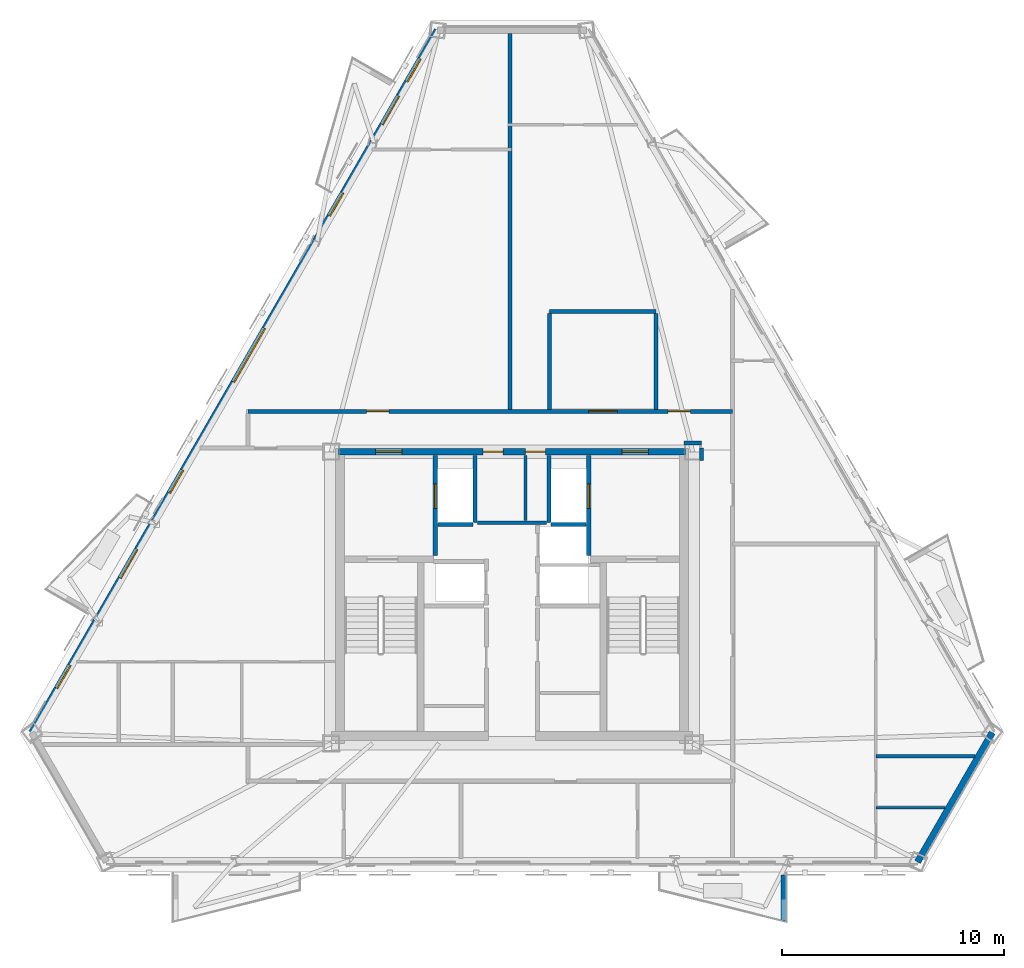
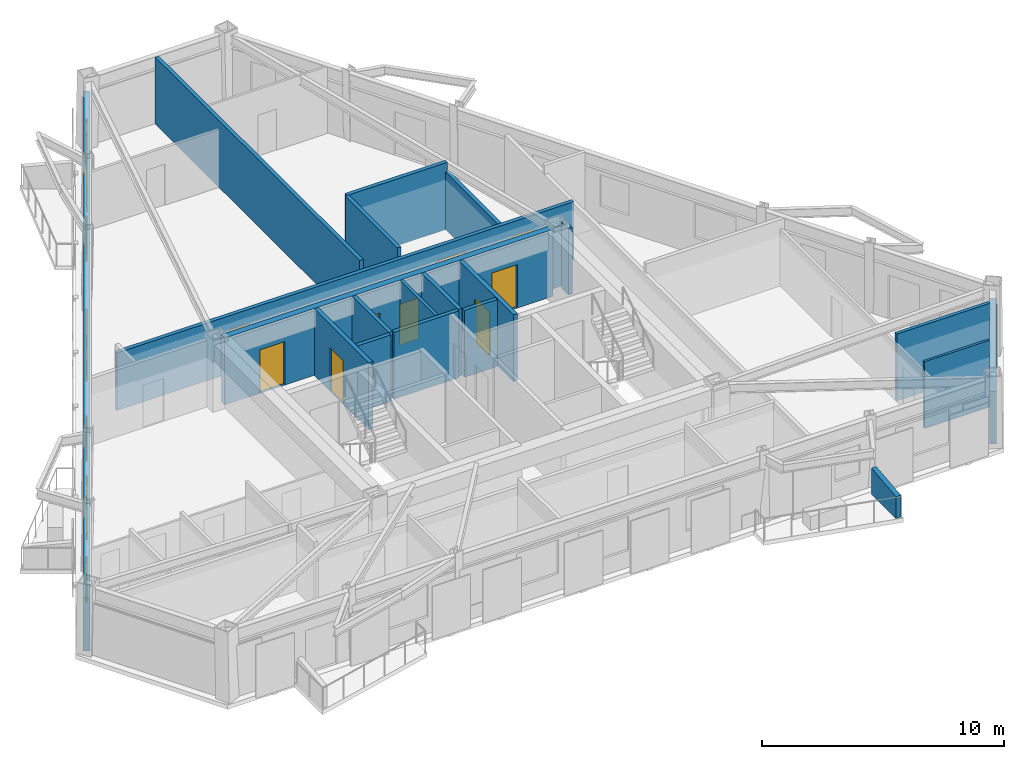
# One storey, part 4 of 8: 21 walls, 11 doors, 5 windows, 16 openings.
"""IFC4 building model written with IfcOpenShell, lengths in metres."""

from ifc_helpers import new_model, si_unit, direction, frame, frame_2d, origin, place, context, subcontext, project, spatial, polyline, rectangle, outline, extrude, material, layer, layer_set, type_object, element, fill, save


model = new_model("IFC4")

# Units and contexts
model_context = context("Model", 3, precision=1e-05, world=origin(), true_north=direction((0.0, 1.0)))
body_context = subcontext(model_context, "Body", "Model", "MODEL_VIEW")
ifc_project = project(units=[si_unit("LENGTHUNIT", "METRE"), si_unit("AREAUNIT", "SQUARE_METRE"), si_unit("VOLUMEUNIT", "CUBIC_METRE"), si_unit("PLANEANGLEUNIT", "RADIAN"), si_unit("MASSUNIT", "GRAM", prefix="KILO")], contexts=[model_context])

# Site, building, storey
site_placement = place(None, origin())
site = spatial("IfcSite", under=ifc_project, at=site_placement, CompositionType="ELEMENT")
building_placement = place(site_placement, origin())
building = spatial("IfcBuilding", under=site, at=building_placement, Name="Oramaril Tower", CompositionType="ELEMENT")
storey_placement = place(building_placement, frame((0.0, 0.0, 216.300048828125)))
storey = spatial("IfcBuildingStorey", under=building, at=storey_placement, Name="L57", CompositionType="ELEMENT", Elevation=216.300048828125)

# Wall
ifc_material_1 = material(Name="Warm Cream Limestone", Category="masonry")
ifc_layer_1 = layer(ifc_material_1, 0.2900390625)
ifc_layer_set_1 = layer_set([ifc_layer_1], Name="WT-EXT29")
wall_type_1 = type_object("IfcWallType", Name="WT-EXT29", PredefinedType="SOLIDWALL", material=ifc_layer_set_1)
wall_1_placement = place(storey_placement, frame((55.789306640625, 5.651611328125, 0.0), z_axis=(0.0, 0.0, 1.0), x_axis=(0.499994363989, 0.866028657713, 0.0)))
element("IfcWall", 1, at=wall_1_placement, inside=storey, type_object=wall_type_1, Name="L57 Tower Limestone Facade Wall 3M", PredefinedType="SOLIDWALL", context=body_context, shape_type="SweptSolid", body=[
    extrude(rectangle(XDim=6.73583984375, YDim=0.2900390625, at=frame_2d((3.367919921875, 0.0))), origin(), (0.0, 0.0, 1.0), 2.677001953125),
])

# Wall, openings, doors, windows
wall_2_placement = place(storey_placement, frame((34.132080078125, 43.1630859375, 0.0), z_axis=(0.0, 0.0, 1.0), x_axis=(-0.500000353019, -0.866025199969, 0.0)))
wall_2 = element("IfcWall", 2, at=wall_2_placement, inside=storey, type_object=wall_type_1, Name="L57 Tower Limestone Facade Wall 6M", PredefinedType="SOLIDWALL", context=body_context, shape_type="SweptSolid", body=[
    extrude(rectangle(XDim=36.57861328125, YDim=0.2900390625, at=frame_2d((18.289306640625, 0.0))), origin(), (0.0, 0.0, 1.0), 2.677001953125),
])
opening_1_placement = place(wall_2_placement, frame((3.429443359375, 0.0, 0.0)))
opening_1 = element("IfcOpeningElement", 3, at=opening_1_placement, cuts=wall_2, Name="Opening D-L57-BAL-NW1", PredefinedType="OPENING", context=body_context, shape_type="SweptSolid", body=[
    extrude(rectangle(XDim=1.5, YDim=2.199951171875, at=frame_2d((0.75, 1.10009765625))), frame((0.0, 0.14501953125, 0.0), z_axis=(0.0, -1.0, 0.0), x_axis=(1.0, 0.0, 0.0)), (0.0, 0.0, 1.0), 0.2900390625),
])
opening_2_placement = place(wall_2_placement, frame((27.044189453125, 0.0, 0.0)))
opening_2 = element("IfcOpeningElement", 4, at=opening_2_placement, cuts=wall_2, Name="Opening D-L57-BAL-NW2", PredefinedType="OPENING", context=body_context, shape_type="SweptSolid", body=[
    extrude(rectangle(XDim=1.5, YDim=2.199951171875, at=frame_2d((0.75, 1.10009765625))), frame((0.0, 0.14501953125, 0.0), z_axis=(0.0, -1.0, 0.0), x_axis=(1.0, 0.0, 0.0)), (0.0, 0.0, 1.0), 0.2900390625),
])
opening_3_placement = place(wall_2_placement, frame((22.914306640625, 0.0, 0.85009765625)))
opening_3 = element("IfcOpeningElement", 5, at=opening_3_placement, cuts=wall_2, Name="Opening WN-09", PredefinedType="OPENING", context=body_context, shape_type="SweptSolid", body=[
    extrude(rectangle(XDim=1.199951171875, YDim=1.47998046875, at=frame_2d((0.60009765625, 0.739990234375))), frame((0.0, 0.14501953125, 0.0), z_axis=(0.0, -1.0, 0.0), x_axis=(1.0, 0.0, 0.0)), (0.0, 0.0, 1.0), 0.2900390625),
])
opening_4_placement = place(wall_2_placement, frame((33.080078125, 0.0, 0.85009765625)))
opening_4 = element("IfcOpeningElement", 6, at=opening_4_placement, cuts=wall_2, Name="Opening WN-09", PredefinedType="OPENING", context=body_context, shape_type="SweptSolid", body=[
    extrude(rectangle(XDim=1.199951171875, YDim=1.47998046875, at=frame_2d((0.60009765625, 0.739990234375))), frame((0.0, 0.14501953125, 0.0), z_axis=(0.0, -1.0, 0.0), x_axis=(1.0, 0.0, 0.0)), (0.0, 0.0, 1.0), 0.2900390625),
])
opening_5_placement = place(wall_2_placement, frame((8.4794921875, 0.0, 0.85009765625)))
opening_5 = element("IfcOpeningElement", 7, at=opening_5_placement, cuts=wall_2, Name="Opening WN-09", PredefinedType="OPENING", context=body_context, shape_type="SweptSolid", body=[
    extrude(rectangle(XDim=1.199951171875, YDim=1.47998046875, at=frame_2d((0.60009765625, 0.739990234375))), frame((0.0, 0.14501953125, 0.0), z_axis=(0.0, -1.0, 0.0), x_axis=(1.0, 0.0, 0.0)), (0.0, 0.0, 1.0), 0.2900390625),
])
opening_6_placement = place(wall_2_placement, frame((15.537109375, 0.0, 0.85009765625)))
opening_6 = element("IfcOpeningElement", 8, at=opening_6_placement, cuts=wall_2, Name="Opening WN-01", PredefinedType="OPENING", context=body_context, shape_type="SweptSolid", body=[
    extrude(rectangle(XDim=2.800048828125, YDim=1.717041015625, at=frame_2d((1.39990234375, 0.8583984375))), frame((0.0, 0.14501953125, 0.0), z_axis=(0.0, -1.0, 0.0), x_axis=(1.0, 0.0, 0.0)), (0.0, 0.0, 1.0), 0.2900390625),
])
opening_7_placement = place(wall_2_placement, frame((1.500732421875, 0.0, 0.85009765625)))
opening_7 = element("IfcOpeningElement", 9, at=opening_7_placement, cuts=wall_2, Name="Opening WN-09", PredefinedType="OPENING", context=body_context, shape_type="SweptSolid", body=[
    extrude(rectangle(XDim=1.199951171875, YDim=1.47998046875, at=frame_2d((0.60009765625, 0.739990234375))), frame((0.0, 0.14501953125, 0.0), z_axis=(0.0, -1.0, 0.0), x_axis=(1.0, 0.0, 0.0)), (0.0, 0.0, 1.0), 0.2900390625),
])
ifc_material_2 = material(Name="Anodised Aluminium 6063-T6", Category="aluminium")
door_type_1 = type_object("IfcDoorType", Name="DT-BAL", OperationType="NOTDEFINED", PredefinedType="DOOR", material=ifc_material_2)
door_1_placement = place(opening_1_placement, origin())
door_1 = element("IfcDoor", 10, at=door_1_placement, inside=storey, type_object=door_type_1, Name="L57 Balcony Glazed Door L57-BAL-NW1", OperationType="SINGLE_SWING_RIGHT", OverallHeight=2.199951171875, OverallWidth=1.5, PredefinedType="DOOR", context=body_context, shape_type="SweptSolid", body=[
    extrude(rectangle(XDim=1.5, YDim=2.199951171875, at=frame_2d((0.75, 1.10009765625))), frame((0.0, 0.02490234375, 0.0), z_axis=(0.0, -1.0, 0.0), x_axis=(1.0, 0.0, 0.0)), (0.0, 0.0, 1.0), 0.050048828125),
])
fill(opening_1, door_1)
door_2_placement = place(opening_2_placement, origin())
door_2 = element("IfcDoor", 11, at=door_2_placement, inside=storey, type_object=door_type_1, Name="L57 Balcony Glazed Door L57-BAL-NW2", OperationType="SINGLE_SWING_LEFT", OverallHeight=2.199951171875, OverallWidth=1.5, PredefinedType="DOOR", context=body_context, shape_type="SweptSolid", body=[
    extrude(rectangle(XDim=1.5, YDim=2.199951171875, at=frame_2d((0.75, 1.10009765625))), frame((0.0, 0.02490234375, 0.0), z_axis=(0.0, -1.0, 0.0), x_axis=(1.0, 0.0, 0.0)), (0.0, 0.0, 1.0), 0.050048828125),
])
fill(opening_2, door_2)
ifc_material_3 = material(Name="Coastal Low-E Insulated Glass", Category="glass")
window_type_1 = type_object("IfcWindowType", Name="WNT-01", PartitioningType="SINGLE_PANEL", PredefinedType="WINDOW", material=ifc_material_3)
window_1_placement = place(opening_6_placement, origin())
window_1 = element("IfcWindow", 12, at=window_1_placement, inside=storey, type_object=window_type_1, Name="L57 Chicago Bay Window WN-01", OverallHeight=1.717041015625, OverallWidth=2.800048828125, PartitioningType="SINGLE_PANEL", PredefinedType="WINDOW", context=body_context, shape_type="SweptSolid", body=[
    extrude(rectangle(XDim=2.800048828125, YDim=1.717041015625, at=frame_2d((1.39990234375, 0.8583984375))), frame((0.0, 0.030029296875, 0.0), z_axis=(0.0, -1.0, 0.0), x_axis=(1.0, 0.0, 0.0)), (0.0, 0.0, 1.0), 0.06005859375),
])
fill(opening_6, window_1)
ifc_material_4 = material(Name="Coastal Low-E Insulated Glass", Category="glass")
window_type_2 = type_object("IfcWindowType", Name="WNT-09", PartitioningType="SINGLE_PANEL", PredefinedType="WINDOW", material=ifc_material_4)
window_2_placement = place(opening_3_placement, origin())
window_2 = element("IfcWindow", 13, at=window_2_placement, inside=storey, type_object=window_type_2, Name="L57 Chicago Bay Window WN-09", OverallHeight=1.47998046875, OverallWidth=1.199951171875, PartitioningType="SINGLE_PANEL", PredefinedType="WINDOW", context=body_context, shape_type="SweptSolid", body=[
    extrude(rectangle(XDim=1.199951171875, YDim=1.47998046875, at=frame_2d((0.60009765625, 0.739990234375))), frame((0.0, 0.030029296875, 0.0), z_axis=(0.0, -1.0, 0.0), x_axis=(1.0, 0.0, 0.0)), (0.0, 0.0, 1.0), 0.06005859375),
])
fill(opening_3, window_2)
window_3_placement = place(opening_4_placement, origin())
window_3 = element("IfcWindow", 14, at=window_3_placement, inside=storey, type_object=window_type_2, Name="L57 Chicago Bay Window WN-09", OverallHeight=1.47998046875, OverallWidth=1.199951171875, PartitioningType="SINGLE_PANEL", PredefinedType="WINDOW", context=body_context, shape_type="SweptSolid", body=[
    extrude(rectangle(XDim=1.199951171875, YDim=1.47998046875, at=frame_2d((0.60009765625, 0.739990234375))), frame((0.0, 0.030029296875, 0.0), z_axis=(0.0, -1.0, 0.0), x_axis=(1.0, 0.0, 0.0)), (0.0, 0.0, 1.0), 0.06005859375),
])
fill(opening_4, window_3)
window_4_placement = place(opening_5_placement, origin())
window_4 = element("IfcWindow", 15, at=window_4_placement, inside=storey, type_object=window_type_2, Name="L57 Chicago Bay Window WN-09", OverallHeight=1.47998046875, OverallWidth=1.199951171875, PartitioningType="SINGLE_PANEL", PredefinedType="WINDOW", context=body_context, shape_type="SweptSolid", body=[
    extrude(rectangle(XDim=1.199951171875, YDim=1.47998046875, at=frame_2d((0.60009765625, 0.739990234375))), frame((0.0, 0.030029296875, 0.0), z_axis=(0.0, -1.0, 0.0), x_axis=(1.0, 0.0, 0.0)), (0.0, 0.0, 1.0), 0.06005859375),
])
fill(opening_5, window_4)
window_5_placement = place(opening_7_placement, origin())
window_5 = element("IfcWindow", 16, at=window_5_placement, inside=storey, type_object=window_type_2, Name="L57 Chicago Bay Window WN-09", OverallHeight=1.47998046875, OverallWidth=1.199951171875, PartitioningType="SINGLE_PANEL", PredefinedType="WINDOW", context=body_context, shape_type="SweptSolid", body=[
    extrude(rectangle(XDim=1.199951171875, YDim=1.47998046875, at=frame_2d((0.60009765625, 0.739990234375))), frame((0.0, 0.030029296875, 0.0), z_axis=(0.0, -1.0, 0.0), x_axis=(1.0, 0.0, 0.0)), (0.0, 0.0, 1.0), 0.06005859375),
])
fill(opening_7, window_5)

# Walls
ifc_material_5 = material(Name="Concrete C40/50", Category="concrete")
ifc_layer_2 = layer(ifc_material_5, 0.22998046875)
ifc_layer_set_2 = layer_set([ifc_layer_2], Name="WT-PRP23")
wall_type_2 = type_object("IfcWallType", Name="WT-PRP23", PredefinedType="PARAPET", material=ifc_layer_set_2)
wall_3_placement = place(storey_placement, frame((49.75, 5.0537109375, 0.0), z_axis=(0.0, 0.0, 1.0), x_axis=(0.0, -1.0, 0.0)))
element("IfcWall", 17, at=wall_3_placement, inside=storey, type_object=wall_type_2, Name="L57 Trapezoidal Balcony Frame Cheek L57-BAL-S2-R", PredefinedType="PARAPET", context=body_context, shape_type="SweptSolid", body=[
    extrude(outline(polyline([(0.0, 0.0), (2.0419921875, 0.0), (2.0419921875, 1.099853515625), (0.0, 1.320068359375), (0.0, 0.0)])), frame((0.0, 0.114990234375, 0.0), z_axis=(0.0, -1.0, 0.0), x_axis=(1.0, 0.0, 0.0)), (0.0, 0.0, 1.0), 0.22998046875),
])
ifc_material_6 = material(Name="Acoustic Gypsum Board Partition")
ifc_layer_3 = layer(ifc_material_6, 0.1201171875)
ifc_layer_set_3 = layer_set([ifc_layer_3], Name="WT-PT12")
wall_type_3 = type_object("IfcWallType", Name="WT-PT12", PredefinedType="PARTITIONING", material=ifc_layer_set_3)
wall_4_placement = place(storey_placement, frame((53.908935546875, 8.10009765625, 0.0), z_axis=(0.0, 0.0, 1.0), x_axis=(1.0, 0.0, 0.0)))
element("IfcWall", 18, at=wall_4_placement, inside=storey, type_object=wall_type_3, Name="L57 Interior Partition PT-12", PredefinedType="PARTITIONING", context=body_context, shape_type="SweptSolid", body=[
    extrude(rectangle(XDim=3.121826171875, YDim=0.1201171875, at=frame_2d((1.56103515625, 0.0))), origin(), (0.0, 0.0, 1.0), 3.3798828125),
])
ifc_material_7 = material(Name="Acoustic Gypsum Board Partition")
ifc_layer_4 = layer(ifc_material_7, 0.139892578125)
ifc_layer_set_4 = layer_set([ifc_layer_4], Name="WT-PT14")
wall_type_4 = type_object("IfcWallType", Name="WT-PT14", PredefinedType="PARTITIONING", material=ifc_layer_set_4)
wall_5_placement = place(storey_placement, frame((38.110107421875, 21.06005859375, 0.0), z_axis=(0.0, 0.0, 1.0), x_axis=(0.0, 1.0, 0.0)))
element("IfcWall", 19, at=wall_5_placement, inside=storey, type_object=wall_type_4, Name="L57 Core Service Divider", PredefinedType="PARTITIONING", context=body_context, shape_type="SweptSolid", body=[
    extrude(rectangle(XDim=2.919921875, YDim=0.139892578125, at=frame_2d((1.4599609375, 0.0))), origin(), (0.0, 0.0, 1.0), 3.3798828125),
])
ifc_material_8 = material(Name="Acoustic Gypsum Board Partition")
ifc_layer_5 = layer(ifc_material_8, 0.159912109375)
ifc_layer_set_5 = layer_set([ifc_layer_5], Name="WT-PT16")
wall_type_5 = type_object("IfcWallType", Name="WT-PT16", PredefinedType="PARTITIONING", material=ifc_layer_set_5)
wall_6_placement = place(storey_placement, frame((53.908935546875, 10.419921875, 0.0), z_axis=(0.0, 0.0, 1.0), x_axis=(1.0, 0.0, 0.0)))
element("IfcWall", 20, at=wall_6_placement, inside=storey, type_object=wall_type_5, Name="L57 Interior Partition PT-16", PredefinedType="PARTITIONING", context=body_context, shape_type="SweptSolid", body=[
    extrude(rectangle(XDim=4.461181640625, YDim=0.159912109375, at=frame_2d((2.23046875, 0.0))), origin(), (0.0, 0.0, 1.0), 3.3798828125),
])
ifc_material_9 = material(Name="Autoclaved Cellular Concrete Block", Category="concrete")
ifc_layer_6 = layer(ifc_material_9, 0.179931640625)
ifc_layer_set_6 = layer_set([ifc_layer_6], Name="WT-PT18")
wall_type_6 = type_object("IfcWallType", Name="WT-PT18", PredefinedType="PARTITIONING", material=ifc_layer_set_6)
wall_7_placement = place(storey_placement, frame((35.840087890625, 20.9599609375, 0.0), z_axis=(0.0, 0.0, 1.0), x_axis=(0.0, 1.0, 0.0)))
element("IfcWall", 21, at=wall_7_placement, inside=storey, type_object=wall_type_6, Name="L57 FL-1 East Shaft Wall", PredefinedType="PARTITIONING", context=body_context, shape_type="SweptSolid", body=[
    extrude(rectangle(XDim=3.02001953125, YDim=0.179931640625, at=frame_2d((1.510009765625, 0.0))), origin(), (0.0, 0.0, 1.0), 3.3798828125),
])
wall_8_placement = place(storey_placement, frame((34.159912109375, 20.860107421875, 0.0), z_axis=(0.0, 0.0, 1.0), x_axis=(1.0, 0.0, 0.0)))
element("IfcWall", 22, at=wall_8_placement, inside=storey, type_object=wall_type_6, Name="L57 FL-1 South Shaft Wall", PredefinedType="PARTITIONING", context=body_context, shape_type="SweptSolid", body=[
    extrude(rectangle(XDim=1.580078125, YDim=0.179931640625, at=frame_2d((0.7900390625, 0.0))), origin(), (0.0, 0.0, 1.0), 3.3798828125),
])
wall_9_placement = place(storey_placement, frame((39.159912109375, 20.9599609375, 0.0), z_axis=(0.0, 0.0, 1.0), x_axis=(0.0, 1.0, 0.0)))
element("IfcWall", 23, at=wall_9_placement, inside=storey, type_object=wall_type_6, Name="L57 FL-2 West Shaft Wall", PredefinedType="PARTITIONING", context=body_context, shape_type="SweptSolid", body=[
    extrude(rectangle(XDim=3.02001953125, YDim=0.179931640625, at=frame_2d((1.510009765625, 0.0))), origin(), (0.0, 0.0, 1.0), 3.3798828125),
])
wall_10_placement = place(storey_placement, frame((39.260009765625, 20.860107421875, 0.0), z_axis=(0.0, 0.0, 1.0), x_axis=(1.0, 0.0, 0.0)))
element("IfcWall", 24, at=wall_10_placement, inside=storey, type_object=wall_type_6, Name="L57 FL-2 South Shaft Wall", PredefinedType="PARTITIONING", context=body_context, shape_type="SweptSolid", body=[
    extrude(rectangle(XDim=1.580078125, YDim=0.179931640625, at=frame_2d((0.7900390625, 0.0))), origin(), (0.0, 0.0, 1.0), 3.3798828125),
])
wall_11_placement = place(storey_placement, frame((35.949951171875, 20.949951171875, 0.0), z_axis=(0.0, 0.0, 1.0), x_axis=(1.0, 0.0, 0.0)))
element("IfcWall", 25, at=wall_11_placement, inside=storey, type_object=wall_type_6, Name="L57 Lift Lobby North Partition", PredefinedType="PARTITIONING", context=body_context, shape_type="SweptSolid", body=[
    extrude(rectangle(XDim=3.10009765625, YDim=0.179931640625, at=frame_2d((1.550048828125, 0.0))), origin(), (0.0, 0.0, 1.0), 3.3798828125),
])
wall_12_placement = place(storey_placement, frame((45.2548828125, 24.550048828125, 0.0), z_axis=(0.0, 0.0, 1.0), x_axis=(1.0, 0.0, 0.0)))
element("IfcWall", 26, at=wall_12_placement, inside=storey, type_object=wall_type_6, Name="L57 Interior Partition PT-18", PredefinedType="PARTITIONING", context=body_context, shape_type="SweptSolid", body=[
    extrude(rectangle(XDim=0.7900390625, YDim=0.179931640625, at=frame_2d((0.39501953125, 0.0))), origin(), (0.0, 0.0, 1.0), 2.912841796875),
])

# Wall, openings, doors
wall_13_placement = place(storey_placement, frame((25.60009765625, 25.969970703125, 0.0), z_axis=(0.0, 0.0, 1.0), x_axis=(1.0, 0.0, 0.0)))
wall_13 = element("IfcWall", 27, at=wall_13_placement, inside=storey, type_object=wall_type_6, Name="L57 Interior Partition PT-18", PredefinedType="PARTITIONING", context=body_context, shape_type="SweptSolid", body=[
    extrude(rectangle(XDim=21.849853515625, YDim=0.179931640625, at=frame_2d((10.9248046875, 0.0))), origin(), (0.0, 0.0, 1.0), 2.912841796875),
])
opening_8_placement = place(wall_13_placement, frame((5.3466796875, 0.0, 0.0)))
opening_8 = element("IfcOpeningElement", 28, at=opening_8_placement, cuts=wall_13, Name="Opening D-L57-08", PredefinedType="OPENING", context=body_context, shape_type="SweptSolid", body=[
    extrude(rectangle(XDim=1.0, YDim=2.179931640625, at=frame_2d((0.5, 1.08984375))), frame((0.0, 0.08984375, 0.0), z_axis=(0.0, -1.0, 0.0), x_axis=(1.0, 0.0, 0.0)), (0.0, 0.0, 1.0), 0.179931640625),
])
opening_9_placement = place(wall_13_placement, frame((15.35009765625, 0.0, 0.0)))
opening_9 = element("IfcOpeningElement", 29, at=opening_9_placement, cuts=wall_13, Name="Opening D-L57-09", PredefinedType="OPENING", context=body_context, shape_type="SweptSolid", body=[
    extrude(rectangle(XDim=1.300048828125, YDim=2.199951171875, at=frame_2d((0.64990234375, 1.10009765625))), frame((0.0, 0.08984375, 0.0), z_axis=(0.0, -1.0, 0.0), x_axis=(1.0, 0.0, 0.0)), (0.0, 0.0, 1.0), 0.179931640625),
])
opening_10_placement = place(wall_13_placement, frame((18.9404296875, 0.0, 0.0)))
opening_10 = element("IfcOpeningElement", 30, at=opening_10_placement, cuts=wall_13, Name="Opening D-L57-10", PredefinedType="OPENING", context=body_context, shape_type="SweptSolid", body=[
    extrude(rectangle(XDim=1.0, YDim=2.179931640625, at=frame_2d((0.5, 1.08984375))), frame((0.0, 0.08984375, 0.0), z_axis=(0.0, -1.0, 0.0), x_axis=(1.0, 0.0, 0.0)), (0.0, 0.0, 1.0), 0.179931640625),
])
ifc_material_10 = material(Name="FSC Brazilian Freijo Hardwood", Category="wood")
door_type_2 = type_object("IfcDoorType", Name="DT-APT", OperationType="NOTDEFINED", PredefinedType="DOOR", material=ifc_material_10)
door_3_placement = place(opening_8_placement, origin())
door_3 = element("IfcDoor", 31, at=door_3_placement, inside=storey, type_object=door_type_2, Name="L57 Flat L57-U6 Kitchen and Studio Apartment Door D-L57-08", OperationType="SINGLE_SWING_RIGHT", OverallHeight=2.179931640625, OverallWidth=1.0, PredefinedType="DOOR", context=body_context, shape_type="SweptSolid", body=[
    extrude(rectangle(XDim=1.0, YDim=2.179931640625, at=frame_2d((0.5, 1.08984375))), frame((0.0, 0.02490234375, 0.0), z_axis=(0.0, -1.0, 0.0), x_axis=(1.0, 0.0, 0.0)), (0.0, 0.0, 1.0), 0.050048828125),
])
fill(opening_8, door_3)
door_4_placement = place(opening_10_placement, origin())
door_4 = element("IfcDoor", 32, at=door_4_placement, inside=storey, type_object=door_type_2, Name="L57 Flat L57-U7 Kitchen and Studio Apartment Door D-L57-10", OperationType="SINGLE_SWING_RIGHT", OverallHeight=2.179931640625, OverallWidth=1.0, PredefinedType="DOOR", context=body_context, shape_type="SweptSolid", body=[
    extrude(rectangle(XDim=1.0, YDim=2.179931640625, at=frame_2d((0.5, 1.08984375))), frame((0.0, 0.02490234375, 0.0), z_axis=(0.0, -1.0, 0.0), x_axis=(1.0, 0.0, 0.0)), (0.0, 0.0, 1.0), 0.050048828125),
])
fill(opening_10, door_4)
ifc_material_11 = material(Name="FSC Brazilian Freijo Hardwood", Category="wood")
door_type_3 = type_object("IfcDoorType", Name="DT-COM", OperationType="NOTDEFINED", PredefinedType="DOOR", material=ifc_material_11)
door_5_placement = place(opening_9_placement, origin())
door_5 = element("IfcDoor", 33, at=door_5_placement, inside=storey, type_object=door_type_3, Name="L57 L57 Residents Floor Meeting Suite Door D-L57-09", OperationType="SINGLE_SWING_LEFT", OverallHeight=2.199951171875, OverallWidth=1.300048828125, PredefinedType="DOOR", context=body_context, shape_type="SweptSolid", body=[
    extrude(rectangle(XDim=1.300048828125, YDim=2.199951171875, at=frame_2d((0.64990234375, 1.10009765625))), frame((0.0, 0.02490234375, 0.0), z_axis=(0.0, -1.0, 0.0), x_axis=(1.0, 0.0, 0.0)), (0.0, 0.0, 1.0), 0.050048828125),
])
fill(opening_9, door_5)

# Walls
wall_14_placement = place(storey_placement, frame((39.199951171875, 30.469970703125, 0.0), z_axis=(0.0, 0.0, 1.0), x_axis=(1.0, 0.0, 0.0)))
element("IfcWall", 34, at=wall_14_placement, inside=storey, type_object=wall_type_6, Name="L57 Interior Partition PT-18", PredefinedType="PARTITIONING", context=body_context, shape_type="SweptSolid", body=[
    extrude(rectangle(XDim=4.800048828125, YDim=0.179931640625, at=frame_2d((2.39990234375, 0.0))), origin(), (0.0, 0.0, 1.0), 3.3798828125),
])
wall_15_placement = place(storey_placement, frame((37.39990234375, 26.06396484375, 0.0), z_axis=(0.0, 0.0, 1.0), x_axis=(0.0, 1.0, 0.0)))
element("IfcWall", 35, at=wall_15_placement, inside=storey, type_object=wall_type_6, Name="L57 Interior Partition PT-18", PredefinedType="PARTITIONING", context=body_context, shape_type="SweptSolid", body=[
    extrude(rectangle(XDim=16.9501953125, YDim=0.179931640625, at=frame_2d((8.47509765625, 0.0))), origin(), (0.0, 0.0, 1.0), 3.3798828125),
])
wall_16_placement = place(storey_placement, frame((39.199951171875, 26.06396484375, 0.0), z_axis=(0.0, 0.0, 1.0), x_axis=(0.0, 1.0, 0.0)))
element("IfcWall", 36, at=wall_16_placement, inside=storey, type_object=wall_type_6, Name="L57 Interior Partition PT-18", PredefinedType="PARTITIONING", context=body_context, shape_type="SweptSolid", body=[
    extrude(rectangle(XDim=4.31201171875, YDim=0.179931640625, at=frame_2d((2.156005859375, 0.0))), origin(), (0.0, 0.0, 1.0), 3.3798828125),
])
wall_17_placement = place(storey_placement, frame((44.0, 26.06396484375, 0.0), z_axis=(0.0, 0.0, 1.0), x_axis=(0.0, 1.0, 0.0)))
element("IfcWall", 37, at=wall_17_placement, inside=storey, type_object=wall_type_6, Name="L57 Interior Partition PT-18", PredefinedType="PARTITIONING", context=body_context, shape_type="SweptSolid", body=[
    extrude(rectangle(XDim=4.31201171875, YDim=0.179931640625, at=frame_2d((2.156005859375, 0.0))), origin(), (0.0, 0.0, 1.0), 2.912841796875),
])
wall_18_placement = place(storey_placement, frame((46.050048828125, 23.7548828125, 0.0), z_axis=(0.0, 0.0, 1.0), x_axis=(0.0, 1.0, 0.0)))
element("IfcWall", 38, at=wall_18_placement, inside=storey, type_object=wall_type_6, Name="L57 Interior Partition PT-18", PredefinedType="PARTITIONING", context=body_context, shape_type="SweptSolid", body=[
    extrude(rectangle(XDim=0.565185546875, YDim=0.179931640625, at=frame_2d((0.28271484375, 0.0))), origin(), (0.0, 0.0, 1.0), 3.3798828125),
])

# Wall, openings, doors
ifc_material_12 = material(Name="Concrete C50/60", Category="concrete")
ifc_layer_7 = layer(ifc_material_12, 0.300048828125)
ifc_layer_set_7 = layer_set([ifc_layer_7], Name="WT-SH30")
wall_type_7 = type_object("IfcWallType", Name="WT-SH30", PredefinedType="SHEAR", material=ifc_layer_set_7)
wall_19_placement = place(storey_placement, frame((29.64990234375, 24.14990234375, 0.0), z_axis=(0.0, 0.0, 1.0), x_axis=(1.0, 0.0, 0.0)))
wall_19 = element("IfcWall", 39, at=wall_19_placement, inside=storey, type_object=wall_type_7, Name="L57 Core Shear Wall CW-N", PredefinedType="SHEAR", context=body_context, shape_type="SweptSolid", body=[
    extrude(rectangle(XDim=15.7001953125, YDim=0.300048828125, at=frame_2d((7.85009765625, 0.0))), origin(), (0.0, 0.0, 1.0), 3.3798828125),
])
opening_11_placement = place(wall_19_placement, frame((1.699951171875, 0.0, 0.0)))
opening_11 = element("IfcOpeningElement", 40, at=opening_11_placement, cuts=wall_19, Name="Opening D-L57-FFL1", PredefinedType="OPENING", context=body_context, shape_type="SweptSolid", body=[
    extrude(rectangle(XDim=1.199951171875, YDim=2.199951171875, at=frame_2d((0.60009765625, 1.10009765625))), frame((0.0, 0.14990234375, 0.0), z_axis=(0.0, -1.0, 0.0), x_axis=(1.0, 0.0, 0.0)), (0.0, 0.0, 1.0), 0.300048828125),
])
opening_12_placement = place(wall_19_placement, frame((12.800048828125, 0.0, 0.0)))
opening_12 = element("IfcOpeningElement", 41, at=opening_12_placement, cuts=wall_19, Name="Opening D-L57-FFL2", PredefinedType="OPENING", context=body_context, shape_type="SweptSolid", body=[
    extrude(rectangle(XDim=1.199951171875, YDim=2.199951171875, at=frame_2d((0.60009765625, 1.10009765625))), frame((0.0, 0.14990234375, 0.0), z_axis=(0.0, -1.0, 0.0), x_axis=(1.0, 0.0, 0.0)), (0.0, 0.0, 1.0), 0.300048828125),
])
opening_13_placement = place(wall_19_placement, frame((6.550048828125, 0.0, 0.0)))
opening_13 = element("IfcOpeningElement", 42, at=opening_13_placement, cuts=wall_19, Name="Opening D-L57-SV1", PredefinedType="OPENING", context=body_context, shape_type="SweptSolid", body=[
    extrude(rectangle(XDim=0.89990234375, YDim=2.050048828125, at=frame_2d((0.449951171875, 1.02490234375))), frame((0.0, 0.14990234375, 0.0), z_axis=(0.0, -1.0, 0.0), x_axis=(1.0, 0.0, 0.0)), (0.0, 0.0, 1.0), 0.300048828125),
])
opening_14_placement = place(wall_19_placement, frame((8.449951171875, 0.0, 0.0)))
opening_14 = element("IfcOpeningElement", 43, at=opening_14_placement, cuts=wall_19, Name="Opening D-L57-SV2", PredefinedType="OPENING", context=body_context, shape_type="SweptSolid", body=[
    extrude(rectangle(XDim=0.89990234375, YDim=2.050048828125, at=frame_2d((0.449951171875, 1.02490234375))), frame((0.0, 0.14990234375, 0.0), z_axis=(0.0, -1.0, 0.0), x_axis=(1.0, 0.0, 0.0)), (0.0, 0.0, 1.0), 0.300048828125),
])
ifc_material_13 = material(Name="Painted Galvanised Steel", Category="steel")
door_type_4 = type_object("IfcDoorType", Name="DT-FFL", OperationType="NOTDEFINED", PredefinedType="DOOR", material=ifc_material_13)
door_6_placement = place(opening_11_placement, origin())
door_6 = element("IfcDoor", 44, at=door_6_placement, inside=storey, type_object=door_type_4, Name="L57 Firefighting Lobby 1 Fire Door", OperationType="SINGLE_SWING_LEFT", OverallHeight=2.199951171875, OverallWidth=1.199951171875, PredefinedType="DOOR", context=body_context, shape_type="SweptSolid", body=[
    extrude(rectangle(XDim=1.199951171875, YDim=2.199951171875, at=frame_2d((0.60009765625, 1.10009765625))), frame((0.0, 0.02490234375, 0.0), z_axis=(0.0, -1.0, 0.0), x_axis=(1.0, 0.0, 0.0)), (0.0, 0.0, 1.0), 0.050048828125),
])
fill(opening_11, door_6)
door_7_placement = place(opening_12_placement, origin())
door_7 = element("IfcDoor", 45, at=door_7_placement, inside=storey, type_object=door_type_4, Name="L57 Firefighting Lobby 2 Fire Door", OperationType="SINGLE_SWING_RIGHT", OverallHeight=2.199951171875, OverallWidth=1.199951171875, PredefinedType="DOOR", context=body_context, shape_type="SweptSolid", body=[
    extrude(rectangle(XDim=1.199951171875, YDim=2.199951171875, at=frame_2d((0.60009765625, 1.10009765625))), frame((0.0, 0.02490234375, 0.0), z_axis=(0.0, -1.0, 0.0), x_axis=(1.0, 0.0, 0.0)), (0.0, 0.0, 1.0), 0.050048828125),
])
fill(opening_12, door_7)
ifc_material_14 = material(Name="Painted Galvanised Steel", Category="steel")
door_type_5 = type_object("IfcDoorType", Name="DT-SVC", OperationType="NOTDEFINED", PredefinedType="DOOR", material=ifc_material_14)
door_8_placement = place(opening_13_placement, origin())
door_8 = element("IfcDoor", 46, at=door_8_placement, inside=storey, type_object=door_type_5, Name="L57 Core Service Store 1 Door", OperationType="SINGLE_SWING_LEFT", OverallHeight=2.050048828125, OverallWidth=0.89990234375, PredefinedType="DOOR", context=body_context, shape_type="SweptSolid", body=[
    extrude(rectangle(XDim=0.89990234375, YDim=2.050048828125, at=frame_2d((0.449951171875, 1.02490234375))), frame((0.0, 0.02490234375, 0.0), z_axis=(0.0, -1.0, 0.0), x_axis=(1.0, 0.0, 0.0)), (0.0, 0.0, 1.0), 0.050048828125),
])
fill(opening_13, door_8)
door_9_placement = place(opening_14_placement, origin())
door_9 = element("IfcDoor", 47, at=door_9_placement, inside=storey, type_object=door_type_5, Name="L57 Core Service Store 2 Door", OperationType="SINGLE_SWING_RIGHT", OverallHeight=2.050048828125, OverallWidth=0.89990234375, PredefinedType="DOOR", context=body_context, shape_type="SweptSolid", body=[
    extrude(rectangle(XDim=0.89990234375, YDim=2.050048828125, at=frame_2d((0.449951171875, 1.02490234375))), frame((0.0, 0.02490234375, 0.0), z_axis=(0.0, -1.0, 0.0), x_axis=(1.0, 0.0, 0.0)), (0.0, 0.0, 1.0), 0.050048828125),
])
fill(opening_14, door_9)

# Wall, opening, door
ifc_material_15 = material(Name="Autoclaved Cellular Concrete Block", Category="concrete")
ifc_layer_8 = layer(ifc_material_15, 0.199951171875)
ifc_layer_set_8 = layer_set([ifc_layer_8], Name="WT-SHF20")
wall_type_8 = type_object("IfcWallType", Name="WT-SHF20", PredefinedType="PARTITIONING", material=ifc_layer_set_8)
wall_20_placement = place(storey_placement, frame((34.0400390625, 19.47998046875, 0.0), z_axis=(0.0, 0.0, 1.0), x_axis=(0.0, 1.0, 0.0)))
wall_20 = element("IfcWall", 48, at=wall_20_placement, inside=storey, type_object=wall_type_8, Name="L57 FL-1 Lobby Shaft Wall", PredefinedType="PARTITIONING", context=body_context, shape_type="SweptSolid", body=[
    extrude(rectangle(XDim=4.5, YDim=0.199951171875, at=frame_2d((2.25, 0.0))), origin(), (0.0, 0.0, 1.0), 3.3798828125),
])
opening_15_placement = place(wall_20_placement, frame((2.1201171875, 0.0, 0.0)))
opening_15 = element("IfcOpeningElement", 49, at=opening_15_placement, cuts=wall_20, Name="Opening LD-L57-FL-1", PredefinedType="OPENING", context=body_context, shape_type="SweptSolid", body=[
    extrude(rectangle(XDim=1.10009765625, YDim=2.199951171875, at=frame_2d((0.550048828125, 1.10009765625))), frame((0.0, 0.10009765625, 0.0), z_axis=(0.0, -1.0, 0.0), x_axis=(1.0, 0.0, 0.0)), (0.0, 0.0, 1.0), 0.199951171875),
])
ifc_material_16 = material(Name="Stainless Steel 316L", Category="steel")
door_type_6 = type_object("IfcDoorType", Name="DT-LD1", OperationType="NOTDEFINED", PredefinedType="DOOR", material=ifc_material_16)
door_10_placement = place(opening_15_placement, origin())
door_10 = element("IfcDoor", 50, at=door_10_placement, inside=storey, type_object=door_type_6, Name="L57 Lift FL-1 Sliding Landing Door", OperationType="SLIDING_TO_LEFT", OverallHeight=2.199951171875, OverallWidth=1.10009765625, PredefinedType="DOOR", context=body_context, shape_type="SweptSolid", body=[
    extrude(rectangle(XDim=1.10009765625, YDim=2.199951171875, at=frame_2d((0.550048828125, 1.10009765625))), frame((0.0, 0.02490234375, 0.0), z_axis=(0.0, -1.0, 0.0), x_axis=(1.0, 0.0, 0.0)), (0.0, 0.0, 1.0), 0.050048828125),
])
fill(opening_15, door_10)

wall_21_placement = place(storey_placement, frame((40.9599609375, 19.47998046875, 0.0), z_axis=(0.0, 0.0, 1.0), x_axis=(0.0, 1.0, 0.0)))
wall_21 = element("IfcWall", 51, at=wall_21_placement, inside=storey, type_object=wall_type_8, Name="L57 FL-2 Lobby Shaft Wall", PredefinedType="PARTITIONING", context=body_context, shape_type="SweptSolid", body=[
    extrude(rectangle(XDim=4.5, YDim=0.199951171875, at=frame_2d((2.25, 0.0))), origin(), (0.0, 0.0, 1.0), 3.3798828125),
])
opening_16_placement = place(wall_21_placement, frame((2.1201171875, 0.0, 0.0)))
opening_16 = element("IfcOpeningElement", 52, at=opening_16_placement, cuts=wall_21, Name="Opening LD-L57-FL-2", PredefinedType="OPENING", context=body_context, shape_type="SweptSolid", body=[
    extrude(rectangle(XDim=1.10009765625, YDim=2.199951171875, at=frame_2d((0.550048828125, 1.10009765625))), frame((0.0, 0.10009765625, 0.0), z_axis=(0.0, -1.0, 0.0), x_axis=(1.0, 0.0, 0.0)), (0.0, 0.0, 1.0), 0.199951171875),
])
door_11_placement = place(opening_16_placement, origin())
door_11 = element("IfcDoor", 53, at=door_11_placement, inside=storey, type_object=door_type_6, Name="L57 Lift FL-2 Sliding Landing Door", OperationType="SLIDING_TO_RIGHT", OverallHeight=2.199951171875, OverallWidth=1.10009765625, PredefinedType="DOOR", context=body_context, shape_type="SweptSolid", body=[
    extrude(rectangle(XDim=1.10009765625, YDim=2.199951171875, at=frame_2d((0.550048828125, 1.10009765625))), frame((0.0, 0.02490234375, 0.0), z_axis=(0.0, -1.0, 0.0), x_axis=(1.0, 0.0, 0.0)), (0.0, 0.0, 1.0), 0.050048828125),
])
fill(opening_16, door_11)

save(model, "model.ifc")
